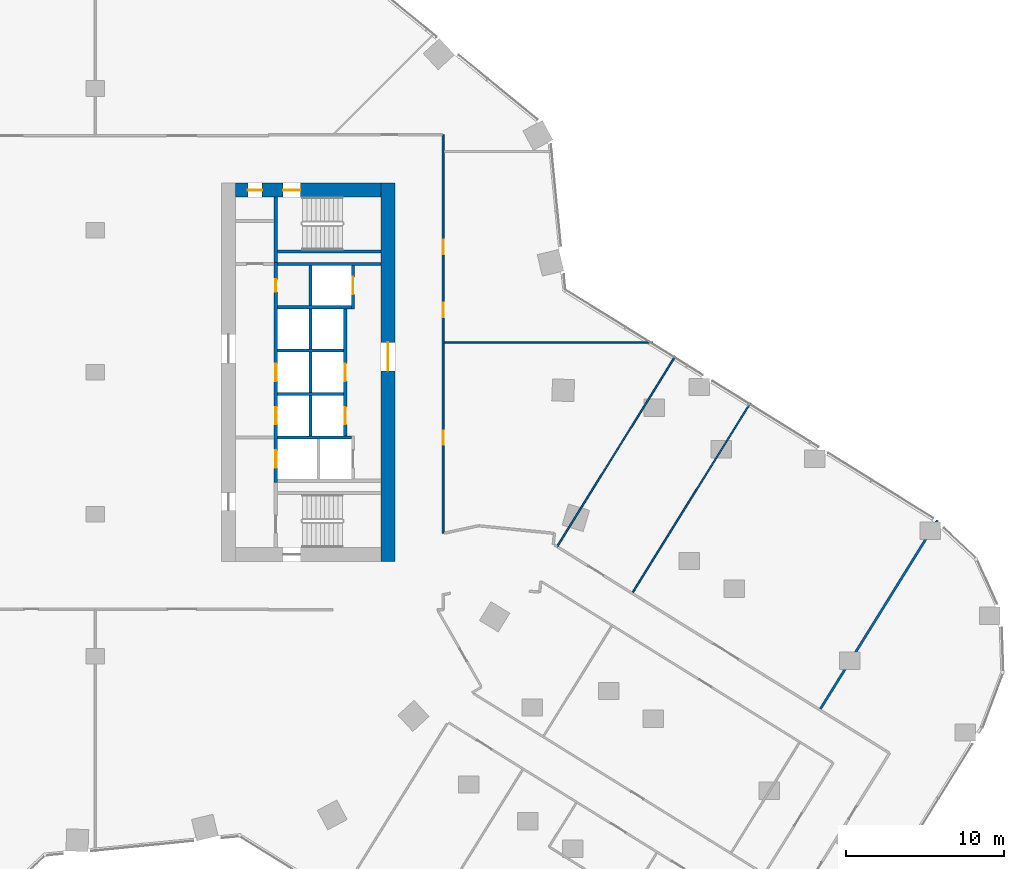
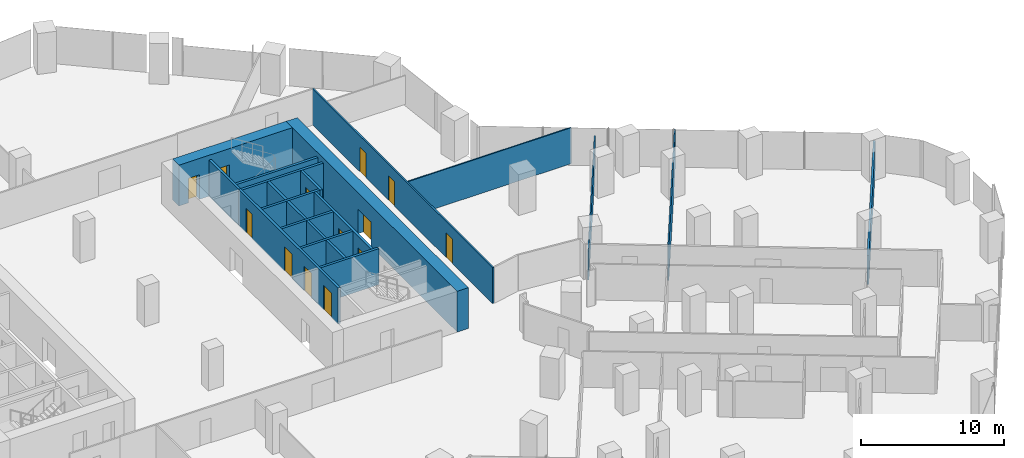
# One storey, part 31 of 33: 21 walls, 13 doors, 13 openings.
"""IFC4 building model written with IfcOpenShell, lengths in metres."""

from ifc_helpers import new_model, si_unit, direction, frame, frame_2d, origin, place, context, subcontext, project, spatial, rectangle, extrude, material, layer, layer_set, type_object, element, fill, save


model = new_model("IFC4")

# Units and contexts
model_context = context("Model", 3, precision=1e-05, world=origin(), true_north=direction((0.0, 1.0)))
body_context = subcontext(model_context, "Body", "Model", "MODEL_VIEW")
ifc_project = project(units=[si_unit("LENGTHUNIT", "METRE"), si_unit("AREAUNIT", "SQUARE_METRE"), si_unit("VOLUMEUNIT", "CUBIC_METRE"), si_unit("PLANEANGLEUNIT", "RADIAN"), si_unit("MASSUNIT", "GRAM", prefix="KILO")], contexts=[model_context])

# Site, building, storey
site_placement = place(None, origin())
site = spatial("IfcSite", under=ifc_project, at=site_placement, CompositionType="ELEMENT")
building_placement = place(site_placement, origin())
building = spatial("IfcBuilding", under=site, at=building_placement, Name="Orlundy Tower", CompositionType="ELEMENT")
storey_placement = place(building_placement, frame((0.0, 0.0, 51.300048828125)))
storey = spatial("IfcBuildingStorey", under=building, at=storey_placement, Name="L11", CompositionType="ELEMENT", Elevation=51.300048828125)

# Wall, openings, doors
ifc_material_1 = material(Name="Concrete C80/95", Category="concrete")
ifc_layer_1 = layer(ifc_material_1, 0.89990234375)
ifc_layer_set_1 = layer_set([ifc_layer_1], Name="CORE WALL 900 C80/95")
wall_type_1 = type_object("IfcWallType", Name="CORE WALL 900 C80/95", PredefinedType="SHEAR", material=ifc_layer_set_1)
wall_1_placement = place(storey_placement, frame((8.89990234375, 11.550048828125, 0.0), z_axis=(0.0, 0.0, 1.0), x_axis=(1.0, 0.0, 0.0)))
wall_1 = element("IfcWall", 1, at=wall_1_placement, inside=storey, type_object=wall_type_1, Name="Core wall E-N L11", PredefinedType="SHEAR", context=body_context, shape_type="SweptSolid", body=[
    extrude(rectangle(XDim=9.2001953125, YDim=0.89990234375, at=frame_2d((4.60009765625, 0.0))), origin(), (0.0, 0.0, 1.0), 3.5),
])
opening_1_placement = place(wall_1_placement, frame((3.0, 0.0, 0.0)))
opening_1 = element("IfcOpeningElement", 2, at=opening_1_placement, cuts=wall_1, Name="Opening 10062", PredefinedType="OPENING", context=body_context, shape_type="SweptSolid", body=[
    extrude(rectangle(XDim=1.10009765625, YDim=2.10009765625, at=frame_2d((0.550048828125, 1.050048828125))), frame((0.0, 0.4599609375, 0.0), z_axis=(0.0, -1.0, 0.0), x_axis=(1.0, 0.0, 0.0)), (0.0, 0.0, 1.0), 0.919921875),
])
opening_2_placement = place(wall_1_placement, frame((0.77001953125, 0.0, 0.0)))
opening_2 = element("IfcOpeningElement", 3, at=opening_2_placement, cuts=wall_1, Name="Opening 10064", PredefinedType="OPENING", context=body_context, shape_type="SweptSolid", body=[
    extrude(rectangle(XDim=0.89990234375, YDim=2.10009765625, at=frame_2d((0.449951171875, 1.050048828125))), frame((0.0, 0.4599609375, 0.0), z_axis=(0.0, -1.0, 0.0), x_axis=(1.0, 0.0, 0.0)), (0.0, 0.0, 1.0), 0.919921875),
])
ifc_material_2 = material(Name="Timber door set", Category="wood")
door_type_1 = type_object("IfcDoorType", Name="Room Door 900x2100", OperationType="SINGLE_SWING_LEFT", PredefinedType="DOOR", material=ifc_material_2)
door_1_placement = place(opening_2_placement, origin())
door_1 = element("IfcDoor", 4, at=door_1_placement, inside=storey, type_object=door_type_1, Name="Store door 10064", OperationType="SINGLE_SWING_LEFT", OverallHeight=2.10009765625, OverallWidth=0.89990234375, PredefinedType="DOOR", context=body_context, shape_type="SweptSolid", body=[
    extrude(rectangle(XDim=0.89990234375, YDim=2.10009765625, at=frame_2d((0.449951171875, 1.050048828125))), frame((0.0, 0.02490234375, 0.0), z_axis=(0.0, -1.0, 0.0), x_axis=(1.0, 0.0, 0.0)), (0.0, 0.0, 1.0), 0.050048828125),
])
fill(opening_2, door_1)
ifc_material_3 = material(Name="Steel door set", Category="steel")
door_type_2 = type_object("IfcDoorType", Name="Stair Door 1100x2100", OperationType="SINGLE_SWING_LEFT", PredefinedType="DOOR", material=ifc_material_3)
door_2_placement = place(opening_1_placement, origin())
door_2 = element("IfcDoor", 5, at=door_2_placement, inside=storey, type_object=door_type_2, Name="Stair door 10062", OperationType="SINGLE_SWING_LEFT", OverallHeight=2.10009765625, OverallWidth=1.10009765625, PredefinedType="DOOR", context=body_context, shape_type="SweptSolid", body=[
    extrude(rectangle(XDim=1.10009765625, YDim=2.10009765625, at=frame_2d((0.550048828125, 1.050048828125))), frame((0.0, 0.02490234375, 0.0), z_axis=(0.0, -1.0, 0.0), x_axis=(1.0, 0.0, 0.0)), (0.0, 0.0, 1.0), 0.050048828125),
])
fill(opening_1, door_2)

# Wall, opening, door
wall_2_placement = place(storey_placement, frame((18.550048828125, -12.0, 0.0), z_axis=(0.0, 0.0, 1.0), x_axis=(0.0, 1.0, 0.0)))
wall_2 = element("IfcWall", 6, at=wall_2_placement, inside=storey, type_object=wall_type_1, Name="Core wall E-E L11", PredefinedType="SHEAR", context=body_context, shape_type="SweptSolid", body=[
    extrude(rectangle(XDim=24.0, YDim=0.89990234375, at=frame_2d((12.0, 0.0))), origin(), (0.0, 0.0, 1.0), 3.5),
])
opening_3_placement = place(wall_2_placement, frame((12.10009765625, 0.0, 0.0)))
opening_3 = element("IfcOpeningElement", 7, at=opening_3_placement, cuts=wall_2, Name="Opening 10059", PredefinedType="OPENING", context=body_context, shape_type="SweptSolid", body=[
    extrude(rectangle(XDim=1.800048828125, YDim=2.10009765625, at=frame_2d((0.89990234375, 1.050048828125))), frame((0.0, 0.4599609375, 0.0), z_axis=(0.0, -1.0, 0.0), x_axis=(1.0, 0.0, 0.0)), (0.0, 0.0, 1.0), 0.919921875),
])
ifc_material_4 = material(Name="Timber door set", Category="wood")
door_type_3 = type_object("IfcDoorType", Name="Lobby Door 1800x2100", OperationType="DOUBLE_DOOR_DOUBLE_SWING", PredefinedType="DOOR", material=ifc_material_4)
door_3_placement = place(opening_3_placement, origin())
door_3 = element("IfcDoor", 8, at=door_3_placement, inside=storey, type_object=door_type_3, Name="Lift lobby door 10059", OperationType="SINGLE_SWING_RIGHT", OverallHeight=2.10009765625, OverallWidth=1.800048828125, PredefinedType="DOOR", context=body_context, shape_type="SweptSolid", body=[
    extrude(rectangle(XDim=1.800048828125, YDim=2.10009765625, at=frame_2d((0.89990234375, 1.050048828125))), frame((0.0, 0.02490234375, 0.0), z_axis=(0.0, -1.0, 0.0), x_axis=(1.0, 0.0, 0.0)), (0.0, 0.0, 1.0), 0.050048828125),
])
fill(opening_3, door_3)

# Walls
ifc_material_5 = material(Name="Gypsum board partition")
ifc_layer_2 = layer(ifc_material_5, 0.10009765625)
ifc_layer_set_2 = layer_set([ifc_layer_2], Name="Floor partition 100")
wall_type_2 = type_object("IfcWallType", Name="Floor partition 100", PredefinedType="PARTITIONING", material=ifc_layer_set_2)
wall_3_placement = place(storey_placement, frame((22.113037109375, 1.89599609375, 0.0), z_axis=(0.0, 0.0, 1.0), x_axis=(1.0, 0.0, 0.0)))
element("IfcWall", 9, at=wall_3_placement, inside=storey, type_object=wall_type_2, Name="wall-int-L11-036", PredefinedType="PARTITIONING", context=body_context, shape_type="SweptSolid", body=[
    extrude(rectangle(XDim=13.224853515625, YDim=0.10009765625, at=frame_2d((6.6123046875, 0.0))), origin(), (0.0, 0.0, 1.0), 3.079833984375),
])
wall_4_placement = place(storey_placement, frame((34.072021484375, -13.94189453125, 0.0), z_axis=(0.0, 0.0, 1.0), x_axis=(0.527437304247, 0.84959395601, 0.0)))
element("IfcWall", 10, at=wall_4_placement, inside=storey, type_object=wall_type_2, Name="wall-int-L11-066", PredefinedType="PARTITIONING", context=body_context, shape_type="SweptSolid", body=[
    extrude(rectangle(XDim=14.123046875, YDim=0.10009765625, at=frame_2d((7.0615234375, 0.0))), origin(), (0.0, 0.0, 1.0), 3.079833984375),
])
ifc_material_6 = material(Name="Gypsum board partition")
ifc_layer_3 = layer(ifc_material_6, 0.10009765625)
ifc_layer_set_3 = layer_set([ifc_layer_3], Name="Floor partition 100 B")
wall_type_3 = type_object("IfcWallType", Name="Floor partition 100 B", PredefinedType="PARTITIONING", material=ifc_layer_set_3)
wall_5_placement = place(storey_placement, frame((29.26806640625, -11.048095703125, 0.0), z_axis=(0.0, 0.0, 1.0), x_axis=(0.527446323462, 0.849588356716, 0.0)))
element("IfcWall", 11, at=wall_5_placement, inside=storey, type_object=wall_type_3, Name="wall-int-L11-068", PredefinedType="PARTITIONING", context=body_context, shape_type="SweptSolid", body=[
    extrude(rectangle(XDim=14.19873046875, YDim=0.10009765625, at=frame_2d((7.099365234375, 0.0))), origin(), (0.0, 0.0, 1.0), 2.445068359375),
])

# Wall, openings, doors
ifc_material_7 = material(Name="Gypsum board partition, double layer")
ifc_layer_4 = layer(ifc_material_7, 0.125)
ifc_layer_set_4 = layer_set([ifc_layer_4], Name="Floor partition 125")
wall_type_4 = type_object("IfcWallType", Name="Floor partition 125", PredefinedType="PARTITIONING", material=ifc_layer_set_4)
wall_6_placement = place(storey_placement, frame((22.051025390625, 15.050048828125, 0.0), z_axis=(0.0, 0.0, 1.0), x_axis=(0.0, -1.0, 0.0)))
wall_6 = element("IfcWall", 12, at=wall_6_placement, inside=storey, type_object=wall_type_4, Name="wall-int-L11-077", PredefinedType="PARTITIONING", context=body_context, shape_type="SweptSolid", body=[
    extrude(rectangle(XDim=25.257080078125, YDim=0.125, at=frame_2d((12.62841796875, 0.0))), origin(), (0.0, 0.0, 1.0), 3.079833984375),
])
opening_4_placement = place(wall_6_placement, frame((18.75390625, 0.0, 0.0)))
opening_4 = element("IfcOpeningElement", 13, at=opening_4_placement, cuts=wall_6, Name="Opening 10125", PredefinedType="OPENING", context=body_context, shape_type="SweptSolid", body=[
    extrude(rectangle(XDim=0.89990234375, YDim=2.10009765625, at=frame_2d((0.449951171875, 1.050048828125))), frame((0.0, 0.072509765625, 0.0), z_axis=(0.0, -1.0, 0.0), x_axis=(1.0, 0.0, 0.0)), (0.0, 0.0, 1.0), 0.14501953125),
])
opening_5_placement = place(wall_6_placement, frame((10.64990234375, 0.0, 0.0)))
opening_5 = element("IfcOpeningElement", 14, at=opening_5_placement, cuts=wall_6, Name="Opening 10126", PredefinedType="OPENING", context=body_context, shape_type="SweptSolid", body=[
    extrude(rectangle(XDim=0.89990234375, YDim=2.10009765625, at=frame_2d((0.449951171875, 1.050048828125))), frame((0.0, 0.072509765625, 0.0), z_axis=(0.0, -1.0, 0.0), x_axis=(1.0, 0.0, 0.0)), (0.0, 0.0, 1.0), 0.14501953125),
])
opening_6_placement = place(wall_6_placement, frame((6.64990234375, 0.0, 0.0)))
opening_6 = element("IfcOpeningElement", 15, at=opening_6_placement, cuts=wall_6, Name="Opening 10127", PredefinedType="OPENING", context=body_context, shape_type="SweptSolid", body=[
    extrude(rectangle(XDim=0.89990234375, YDim=2.10009765625, at=frame_2d((0.449951171875, 1.050048828125))), frame((0.0, 0.072509765625, 0.0), z_axis=(0.0, -1.0, 0.0), x_axis=(1.0, 0.0, 0.0)), (0.0, 0.0, 1.0), 0.14501953125),
])
ifc_material_8 = material(Name="Timber door leaf", Category="wood")
door_type_4 = type_object("IfcDoorType", Name="Floor door single 900 FD30S", OperationType="NOTDEFINED", PredefinedType="DOOR", material=ifc_material_8)
door_4_placement = place(opening_4_placement, origin())
door_4 = element("IfcDoor", 16, at=door_4_placement, inside=storey, type_object=door_type_4, Name="Door 10125", OperationType="SINGLE_SWING_RIGHT", OverallHeight=2.10009765625, OverallWidth=0.89990234375, PredefinedType="DOOR", context=body_context, shape_type="SweptSolid", body=[
    extrude(rectangle(XDim=0.89990234375, YDim=2.10009765625, at=frame_2d((0.449951171875, 1.050048828125))), frame((0.0, 0.02490234375, 0.0), z_axis=(0.0, -1.0, 0.0), x_axis=(1.0, 0.0, 0.0)), (0.0, 0.0, 1.0), 0.050048828125),
])
fill(opening_4, door_4)
door_5_placement = place(opening_5_placement, origin())
door_5 = element("IfcDoor", 17, at=door_5_placement, inside=storey, type_object=door_type_4, Name="Door 10126", OperationType="SINGLE_SWING_LEFT", OverallHeight=2.10009765625, OverallWidth=0.89990234375, PredefinedType="DOOR", context=body_context, shape_type="SweptSolid", body=[
    extrude(rectangle(XDim=0.89990234375, YDim=2.10009765625, at=frame_2d((0.449951171875, 1.050048828125))), frame((0.0, 0.02490234375, 0.0), z_axis=(0.0, -1.0, 0.0), x_axis=(1.0, 0.0, 0.0)), (0.0, 0.0, 1.0), 0.050048828125),
])
fill(opening_5, door_5)
door_6_placement = place(opening_6_placement, origin())
door_6 = element("IfcDoor", 18, at=door_6_placement, inside=storey, type_object=door_type_4, Name="Door 10127", OperationType="SINGLE_SWING_LEFT", OverallHeight=2.10009765625, OverallWidth=0.89990234375, PredefinedType="DOOR", context=body_context, shape_type="SweptSolid", body=[
    extrude(rectangle(XDim=0.89990234375, YDim=2.10009765625, at=frame_2d((0.449951171875, 1.050048828125))), frame((0.0, 0.02490234375, 0.0), z_axis=(0.0, -1.0, 0.0), x_axis=(1.0, 0.0, 0.0)), (0.0, 0.0, 1.0), 0.050048828125),
])
fill(opening_6, door_6)

# Walls
ifc_material_9 = material(Name="Blockwork shaft wall", Category="masonry")
ifc_layer_5 = layer(ifc_material_9, 0.14990234375)
ifc_layer_set_5 = layer_set([ifc_layer_5], Name="Floor shaft wall 150 B")
wall_type_5 = type_object("IfcWallType", Name="Floor shaft wall 150 B", PredefinedType="PARTITIONING", material=ifc_layer_set_5)
wall_7_placement = place(storey_placement, frame((45.966064453125, -21.325927734375, 0.0), z_axis=(0.0, 0.0, 1.0), x_axis=(0.527439755956, 0.849592433957, 0.0)))
element("IfcWall", 19, at=wall_7_placement, inside=storey, type_object=wall_type_5, Name="wall-int-L11-061", PredefinedType="PARTITIONING", context=body_context, shape_type="SweptSolid", body=[
    extrude(rectangle(XDim=14.06787109375, YDim=0.14990234375, at=frame_2d((7.033935546875, 0.0))), origin(), (0.0, 0.0, 1.0), 2.445068359375),
])
ifc_material_10 = material(Name="Concrete C40/50", Category="concrete")
ifc_layer_6 = layer(ifc_material_10, 0.199951171875)
ifc_layer_set_6 = layer_set([ifc_layer_6], Name="Load-bearing Shaft Wall 200")
wall_type_6 = type_object("IfcWallType", Name="Load-bearing Shaft Wall 200", PredefinedType="SOLIDWALL", material=ifc_layer_set_6)
wall_8_placement = place(storey_placement, frame((11.43994140625, 11.10009765625, 0.0), z_axis=(0.0, 0.0, 1.0), x_axis=(0.0, -1.0, 0.0)))
element("IfcWall", 20, at=wall_8_placement, inside=storey, type_object=wall_type_6, Name="Shaft wall E10-stair-end-s", PredefinedType="SOLIDWALL", context=body_context, shape_type="SweptSolid", body=[
    extrude(rectangle(XDim=4.125, YDim=0.199951171875, at=frame_2d((2.0625, 0.0))), origin(), (0.0, 0.0, 1.0), 3.08984375),
])
wall_9_placement = place(storey_placement, frame((11.5400390625, 7.64990234375, 0.0), z_axis=(0.0, 0.0, 1.0), x_axis=(1.0, 0.0, 0.0)))
element("IfcWall", 21, at=wall_9_placement, inside=storey, type_object=wall_type_6, Name="Shaft wall E10-stair-side-s", PredefinedType="SOLIDWALL", context=body_context, shape_type="SweptSolid", body=[
    extrude(rectangle(XDim=6.56005859375, YDim=0.199951171875, at=frame_2d((3.280029296875, 0.0))), origin(), (0.0, 0.0, 1.0), 3.08984375),
])
ifc_material_11 = material(Name="Fire-rated blockwork shaft wall", Category="masonry")
ifc_layer_7 = layer(ifc_material_11, 0.199951171875)
ifc_layer_set_7 = layer_set([ifc_layer_7], Name="Shaft Wall 200")
wall_type_7 = type_object("IfcWallType", Name="Shaft Wall 200", PredefinedType="SOLIDWALL", material=ifc_layer_set_7)
wall_10_placement = place(storey_placement, frame((11.5400390625, 6.875, 0.0), z_axis=(0.0, 0.0, 1.0), x_axis=(1.0, 0.0, 0.0)))
element("IfcWall", 22, at=wall_10_placement, inside=storey, type_object=wall_type_7, Name="Shaft wall E10-zone-s", PredefinedType="SOLIDWALL", context=body_context, shape_type="SweptSolid", body=[
    extrude(rectangle(XDim=6.56005859375, YDim=0.199951171875, at=frame_2d((3.280029296875, 0.0))), origin(), (0.0, 0.0, 1.0), 3.08984375),
])
wall_11_placement = place(storey_placement, frame((11.5400390625, 4.125, 0.0), z_axis=(0.0, 0.0, 1.0), x_axis=(1.0, 0.0, 0.0)))
element("IfcWall", 23, at=wall_11_placement, inside=storey, type_object=wall_type_7, Name="Shaft wall E10-cross-4.125", PredefinedType="SOLIDWALL", context=body_context, shape_type="SweptSolid", body=[
    extrude(rectangle(XDim=4.699951171875, YDim=0.199951171875, at=frame_2d((2.35009765625, 0.0))), origin(), (0.0, 0.0, 1.0), 3.08984375),
])
for number, where, z_axis, x_axis, name in (
    (24, (11.5400390625, 1.375, 0.0), (0.0, 0.0, 1.0), (1.0, 0.0, 0.0), "Shaft wall E10-cross-1.375"),
    (25, (11.5400390625, -1.375, 0.0), (0.0, 0.0, 1.0), (1.0, 0.0, 0.0), "Shaft wall E10-cross+1.375"),
):
    element("IfcWall", number, at=place(storey_placement, frame(where, z_axis=z_axis, x_axis=x_axis)), inside=storey, type_object=wall_type_7, Name=name, PredefinedType="SOLIDWALL", context=body_context, shape_type="SweptSolid", body=[
        extrude(rectangle(XDim=4.199951171875, YDim=0.199951171875, at=frame_2d((2.10009765625, 0.0))), origin(), (0.0, 0.0, 1.0), 3.08984375),
    ])
wall_12_placement = place(storey_placement, frame((11.5400390625, -4.125, 0.0), z_axis=(0.0, 0.0, 1.0), x_axis=(1.0, 0.0, 0.0)))
element("IfcWall", 26, at=wall_12_placement, inside=storey, type_object=wall_type_7, Name="Shaft wall E10-cross+4.125", PredefinedType="SOLIDWALL", context=body_context, shape_type="SweptSolid", body=[
    extrude(rectangle(XDim=4.699951171875, YDim=0.199951171875, at=frame_2d((2.35009765625, 0.0))), origin(), (0.0, 0.0, 1.0), 3.08984375),
])

# Wall, openings, doors
wall_13_placement = place(storey_placement, frame((11.43994140625, 6.97509765625, 0.0), z_axis=(0.0, 0.0, 1.0), x_axis=(0.0, -1.0, 0.0)))
wall_13 = element("IfcWall", 27, at=wall_13_placement, inside=storey, type_object=wall_type_7, Name="Shaft wall E10-front-h", PredefinedType="SOLIDWALL", context=body_context, shape_type="SweptSolid", body=[
    extrude(rectangle(XDim=13.9501953125, YDim=0.199951171875, at=frame_2d((6.97509765625, 0.0))), origin(), (0.0, 0.0, 1.0), 3.08984375),
])
opening_7_placement = place(wall_13_placement, frame((6.425048828125, 0.0, 0.0)))
opening_7 = element("IfcOpeningElement", 28, at=opening_7_placement, cuts=wall_13, Name="Opening 10051", PredefinedType="OPENING", context=body_context, shape_type="SweptSolid", body=[
    extrude(rectangle(XDim=1.10009765625, YDim=2.10009765625, at=frame_2d((0.550048828125, 1.050048828125))), frame((0.0, 0.110107421875, 0.0), z_axis=(0.0, -1.0, 0.0), x_axis=(1.0, 0.0, 0.0)), (0.0, 0.0, 1.0), 0.22021484375),
])
opening_8_placement = place(wall_13_placement, frame((9.175048828125, 0.0, 0.0)))
opening_8 = element("IfcOpeningElement", 29, at=opening_8_placement, cuts=wall_13, Name="Opening 10053", PredefinedType="OPENING", context=body_context, shape_type="SweptSolid", body=[
    extrude(rectangle(XDim=1.10009765625, YDim=2.10009765625, at=frame_2d((0.550048828125, 1.050048828125))), frame((0.0, 0.110107421875, 0.0), z_axis=(0.0, -1.0, 0.0), x_axis=(1.0, 0.0, 0.0)), (0.0, 0.0, 1.0), 0.22021484375),
])
opening_9_placement = place(wall_13_placement, frame((11.925048828125, 0.0, 0.0)))
opening_9 = element("IfcOpeningElement", 30, at=opening_9_placement, cuts=wall_13, Name="Opening 10055", PredefinedType="OPENING", context=body_context, shape_type="SweptSolid", body=[
    extrude(rectangle(XDim=1.10009765625, YDim=2.10009765625, at=frame_2d((0.550048828125, 1.050048828125))), frame((0.0, 0.110107421875, 0.0), z_axis=(0.0, -1.0, 0.0), x_axis=(1.0, 0.0, 0.0)), (0.0, 0.0, 1.0), 0.22021484375),
])
opening_10_placement = place(wall_13_placement, frame((1.074951171875, 0.0, 0.0)))
opening_10 = element("IfcOpeningElement", 31, at=opening_10_placement, cuts=wall_13, Name="Opening 10057", PredefinedType="OPENING", context=body_context, shape_type="SweptSolid", body=[
    extrude(rectangle(XDim=0.800048828125, YDim=2.10009765625, at=frame_2d((0.39990234375, 1.050048828125))), frame((0.0, 0.110107421875, 0.0), z_axis=(0.0, -1.0, 0.0), x_axis=(1.0, 0.0, 0.0)), (0.0, 0.0, 1.0), 0.22021484375),
])
ifc_material_12 = material(Name="Steel door set", Category="steel")
door_type_5 = type_object("IfcDoorType", Name="Landing Door 1100x2100", OperationType="DOUBLE_DOOR_SLIDING", PredefinedType="DOOR", material=ifc_material_12)
door_7_placement = place(opening_7_placement, origin())
door_7 = element("IfcDoor", 32, at=door_7_placement, inside=storey, type_object=door_type_5, Name="Lift landing door LP-10 10051", OperationType="DOUBLE_DOOR_SLIDING", OverallHeight=2.10009765625, OverallWidth=1.10009765625, PredefinedType="DOOR", context=body_context, shape_type="SweptSolid", body=[
    extrude(rectangle(XDim=1.10009765625, YDim=2.10009765625, at=frame_2d((0.550048828125, 1.050048828125))), frame((0.0, 0.02490234375, 0.0), z_axis=(0.0, -1.0, 0.0), x_axis=(1.0, 0.0, 0.0)), (0.0, 0.0, 1.0), 0.050048828125),
])
fill(opening_7, door_7)
door_8_placement = place(opening_8_placement, origin())
door_8 = element("IfcDoor", 33, at=door_8_placement, inside=storey, type_object=door_type_5, Name="Lift landing door LP-07 10053", OperationType="DOUBLE_DOOR_SLIDING", OverallHeight=2.10009765625, OverallWidth=1.10009765625, PredefinedType="DOOR", context=body_context, shape_type="SweptSolid", body=[
    extrude(rectangle(XDim=1.10009765625, YDim=2.10009765625, at=frame_2d((0.550048828125, 1.050048828125))), frame((0.0, 0.02490234375, 0.0), z_axis=(0.0, -1.0, 0.0), x_axis=(1.0, 0.0, 0.0)), (0.0, 0.0, 1.0), 0.050048828125),
])
fill(opening_8, door_8)
door_9_placement = place(opening_9_placement, origin())
door_9 = element("IfcDoor", 34, at=door_9_placement, inside=storey, type_object=door_type_5, Name="Lift landing door FL2 10055", OperationType="DOUBLE_DOOR_SLIDING", OverallHeight=2.10009765625, OverallWidth=1.10009765625, PredefinedType="DOOR", context=body_context, shape_type="SweptSolid", body=[
    extrude(rectangle(XDim=1.10009765625, YDim=2.10009765625, at=frame_2d((0.550048828125, 1.050048828125))), frame((0.0, 0.02490234375, 0.0), z_axis=(0.0, -1.0, 0.0), x_axis=(1.0, 0.0, 0.0)), (0.0, 0.0, 1.0), 0.050048828125),
])
fill(opening_9, door_9)
ifc_material_13 = material(Name="Timber door set", Category="wood")
door_type_6 = type_object("IfcDoorType", Name="Riser Door 800x2100", OperationType="SINGLE_SWING_LEFT", PredefinedType="DOOR", material=ifc_material_13)
door_10_placement = place(opening_10_placement, origin())
door_10 = element("IfcDoor", 35, at=door_10_placement, inside=storey, type_object=door_type_6, Name="Pantry Store door 10057", OperationType="SINGLE_SWING_LEFT", OverallHeight=2.10009765625, OverallWidth=0.800048828125, PredefinedType="DOOR", context=body_context, shape_type="SweptSolid", body=[
    extrude(rectangle(XDim=0.800048828125, YDim=2.10009765625, at=frame_2d((0.39990234375, 1.050048828125))), frame((0.0, 0.02490234375, 0.0), z_axis=(0.0, -1.0, 0.0), x_axis=(1.0, 0.0, 0.0)), (0.0, 0.0, 1.0), 0.050048828125),
])
fill(opening_10, door_10)

# Walls
for number, where, z_axis, x_axis, name in (
    (36, (13.639892578125, 6.77490234375, 0.0), (0.0, 0.0, 1.0), (0.0, -1.0, 0.0), "Shaft wall E10-mid-a"),
    (37, (13.639892578125, 4.02490234375, 0.0), (0.0, 0.0, 1.0), (0.0, -1.0, 0.0), "Shaft wall E10-mid-a.1"),
    (38, (13.639892578125, 1.27490234375, 0.0), (0.0, 0.0, 1.0), (0.0, -1.0, 0.0), "Shaft wall E10-mid-a.2"),
    (39, (13.639892578125, -1.47509765625, 0.0), (0.0, 0.0, 1.0), (0.0, -1.0, 0.0), "Shaft wall E10-mid-a.3"),
):
    element("IfcWall", number, at=place(storey_placement, frame(where, z_axis=z_axis, x_axis=x_axis)), inside=storey, type_object=wall_type_7, Name=name, PredefinedType="SOLIDWALL", context=body_context, shape_type="SweptSolid", body=[
        extrude(rectangle(XDim=2.5498046875, YDim=0.199951171875, at=frame_2d((1.27490234375, 0.0))), origin(), (0.0, 0.0, 1.0), 3.08984375),
    ])

# Wall, opening, door
wall_14_placement = place(storey_placement, frame((16.340087890625, 6.77490234375, 0.0), z_axis=(0.0, 0.0, 1.0), x_axis=(0.0, -1.0, 0.0)))
wall_14 = element("IfcWall", 40, at=wall_14_placement, inside=storey, type_object=wall_type_7, Name="Shaft wall E10-front-o-a", PredefinedType="SOLIDWALL", context=body_context, shape_type="SweptSolid", body=[
    extrude(rectangle(XDim=2.75, YDim=0.199951171875, at=frame_2d((1.375, 0.0))), origin(), (0.0, 0.0, 1.0), 3.08984375),
])
opening_11_placement = place(wall_14_placement, frame((0.72509765625, 0.0, 0.0)))
opening_11 = element("IfcOpeningElement", 41, at=opening_11_placement, cuts=wall_14, Name="Opening 10050", PredefinedType="OPENING", context=body_context, shape_type="SweptSolid", body=[
    extrude(rectangle(XDim=1.10009765625, YDim=2.10009765625, at=frame_2d((0.550048828125, 1.050048828125))), frame((0.0, 0.110107421875, 0.0), z_axis=(0.0, -1.0, 0.0), x_axis=(1.0, 0.0, 0.0)), (0.0, 0.0, 1.0), 0.22021484375),
])
door_11_placement = place(opening_11_placement, origin())
door_11 = element("IfcDoor", 42, at=door_11_placement, inside=storey, type_object=door_type_5, Name="Lift landing door LV-02 10050", OperationType="DOUBLE_DOOR_SLIDING", OverallHeight=2.10009765625, OverallWidth=1.10009765625, PredefinedType="DOOR", context=body_context, shape_type="SweptSolid", body=[
    extrude(rectangle(XDim=1.10009765625, YDim=2.10009765625, at=frame_2d((0.550048828125, 1.050048828125))), frame((0.0, 0.02490234375, 0.0), z_axis=(0.0, -1.0, 0.0), x_axis=(1.0, 0.0, 0.0)), (0.0, 0.0, 1.0), 0.050048828125),
])
fill(opening_11, door_11)

# Wall, openings, doors
wall_15_placement = place(storey_placement, frame((15.840087890625, 4.02490234375, 0.0), z_axis=(0.0, 0.0, 1.0), x_axis=(0.0, -1.0, 0.0)))
wall_15 = element("IfcWall", 43, at=wall_15_placement, inside=storey, type_object=wall_type_7, Name="Shaft wall E10-front-o-b", PredefinedType="SOLIDWALL", context=body_context, shape_type="SweptSolid", body=[
    extrude(rectangle(XDim=8.0498046875, YDim=0.199951171875, at=frame_2d((4.02490234375, 0.0))), origin(), (0.0, 0.0, 1.0), 3.08984375),
])
opening_12_placement = place(wall_15_placement, frame((3.47509765625, 0.0, 0.0)))
opening_12 = element("IfcOpeningElement", 44, at=opening_12_placement, cuts=wall_15, Name="Opening 10052", PredefinedType="OPENING", context=body_context, shape_type="SweptSolid", body=[
    extrude(rectangle(XDim=1.10009765625, YDim=2.10009765625, at=frame_2d((0.550048828125, 1.050048828125))), frame((0.0, 0.110107421875, 0.0), z_axis=(0.0, -1.0, 0.0), x_axis=(1.0, 0.0, 0.0)), (0.0, 0.0, 1.0), 0.22021484375),
])
opening_13_placement = place(wall_15_placement, frame((6.22509765625, 0.0, 0.0)))
opening_13 = element("IfcOpeningElement", 45, at=opening_13_placement, cuts=wall_15, Name="Opening 10054", PredefinedType="OPENING", context=body_context, shape_type="SweptSolid", body=[
    extrude(rectangle(XDim=1.10009765625, YDim=2.10009765625, at=frame_2d((0.550048828125, 1.050048828125))), frame((0.0, 0.110107421875, 0.0), z_axis=(0.0, -1.0, 0.0), x_axis=(1.0, 0.0, 0.0)), (0.0, 0.0, 1.0), 0.22021484375),
])
door_12_placement = place(opening_12_placement, origin())
door_12 = element("IfcDoor", 46, at=door_12_placement, inside=storey, type_object=door_type_5, Name="Lift landing door LP-06 10052", OperationType="DOUBLE_DOOR_SLIDING", OverallHeight=2.10009765625, OverallWidth=1.10009765625, PredefinedType="DOOR", context=body_context, shape_type="SweptSolid", body=[
    extrude(rectangle(XDim=1.10009765625, YDim=2.10009765625, at=frame_2d((0.550048828125, 1.050048828125))), frame((0.0, 0.02490234375, 0.0), z_axis=(0.0, -1.0, 0.0), x_axis=(1.0, 0.0, 0.0)), (0.0, 0.0, 1.0), 0.050048828125),
])
fill(opening_12, door_12)
door_13_placement = place(opening_13_placement, origin())
door_13 = element("IfcDoor", 47, at=door_13_placement, inside=storey, type_object=door_type_5, Name="Lift landing door LP-08 10054", OperationType="DOUBLE_DOOR_SLIDING", OverallHeight=2.10009765625, OverallWidth=1.10009765625, PredefinedType="DOOR", context=body_context, shape_type="SweptSolid", body=[
    extrude(rectangle(XDim=1.10009765625, YDim=2.10009765625, at=frame_2d((0.550048828125, 1.050048828125))), frame((0.0, 0.02490234375, 0.0), z_axis=(0.0, -1.0, 0.0), x_axis=(1.0, 0.0, 0.0)), (0.0, 0.0, 1.0), 0.050048828125),
])
fill(opening_13, door_13)

save(model, "model.ifc")
